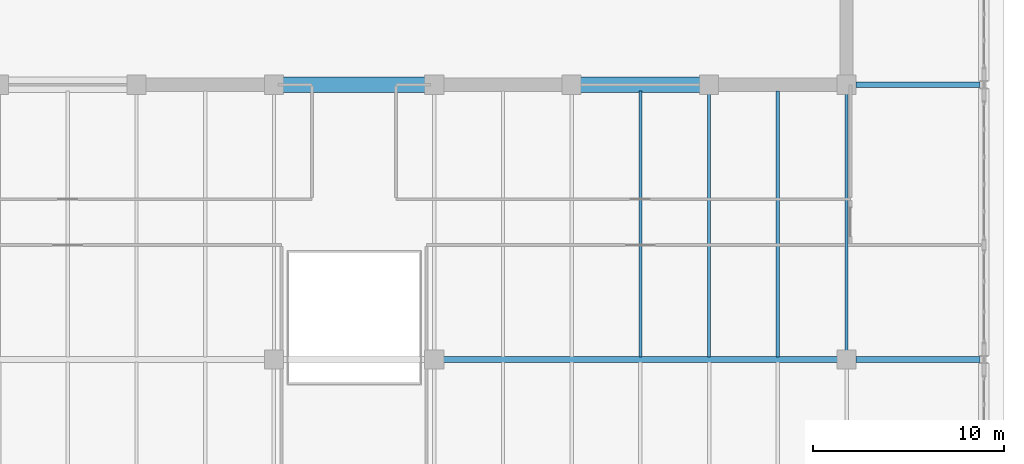
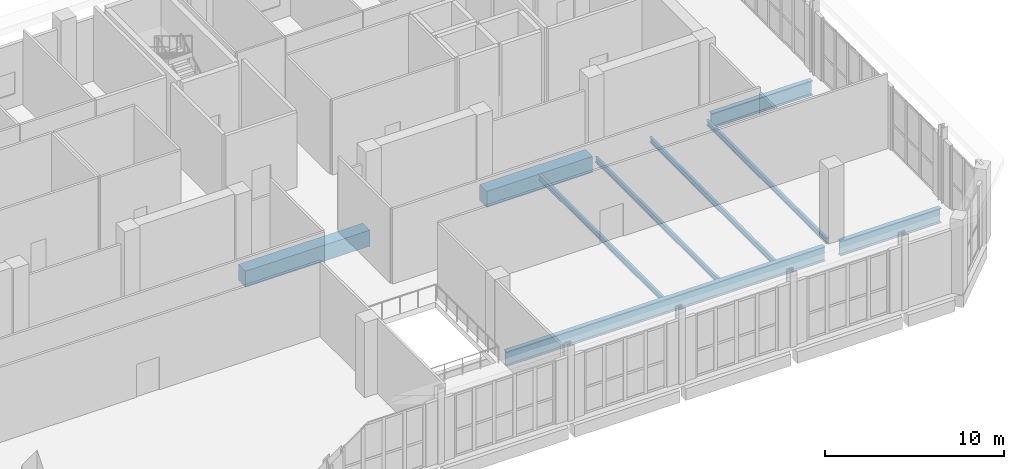
# One storey, part 11 of 26: 9 beams.
"""IFC4 building model written with IfcOpenShell, lengths in metres."""

from ifc_helpers import new_model, si_unit, direction, frame, origin, origin_2d, place, context, subcontext, project, spatial, rectangle, i_section, extrude, material, material_profile, profile_set, type_object, element, save


model = new_model("IFC4")

# Units and contexts
model_context = context("Model", 3, precision=1e-05, world=origin(), true_north=direction((0.0, 1.0)))
body_context = subcontext(model_context, "Body", "Model", "MODEL_VIEW")
ifc_project = project(units=[si_unit("LENGTHUNIT", "METRE"), si_unit("AREAUNIT", "SQUARE_METRE"), si_unit("VOLUMEUNIT", "CUBIC_METRE"), si_unit("PLANEANGLEUNIT", "RADIAN"), si_unit("MASSUNIT", "GRAM", prefix="KILO")], contexts=[model_context])

# Site, building, storey
site_placement = place(None, origin())
site = spatial("IfcSite", under=ifc_project, at=site_placement, CompositionType="ELEMENT")
building_placement = place(site_placement, origin())
building = spatial("IfcBuilding", under=site, at=building_placement, Name="Kaelvorn Grand Hotel", CompositionType="ELEMENT")
storey_placement = place(building_placement, frame((0.0, 0.0, 300.199951171875)))
storey = spatial("IfcBuildingStorey", under=building, at=storey_placement, Name="L73", CompositionType="ELEMENT", Elevation=300.199951171875)

# Beams
ifc_material_1 = material(Name="Steel S460", Category="steel")
ifc_material_profile_1 = material_profile(ifc_material_1, i_section(OverallWidth=0.302001953125, OverallDepth=1.008056640625, WebThickness=0.02099609375, FlangeThickness=0.0400390625, FilletRadius=0.024169921875, at=origin_2d()), Name="UB 1016x305x349")
ifc_profile_set_1 = profile_set([ifc_material_profile_1], Name="Steel S460")
beam_type_1 = type_object("IfcBeamType", Name="BM-G-UB1016-S460", PredefinedType="BEAM", material=ifc_profile_set_1)
beam_1_placement = place(storey_placement, frame((46.68505859375, 15.0, -0.884033203125), z_axis=(1.0, 0.0, 0.0), x_axis=(0.0, 1.0, 0.0)))
element("IfcBeam", 1, at=beam_1_placement, inside=storey, type_object=beam_type_1, Name="L73 Primary Spine Steel Girder G-15 04", PredefinedType="BEAM", context=body_context, shape_type="SweptSolid", body=[
    extrude(i_section(OverallWidth=0.302001953125, OverallDepth=1.008056640625, WebThickness=0.02099609375, FlangeThickness=0.0400390625, FilletRadius=0.024169921875, at=origin_2d()), origin(), (0.0, 0.0, 1.0), 20.6298828125),
])
for number, where, z_axis, x_axis, name in (
    (2, (68.284912109375, 15.0, -0.884033203125), (1.0, 0.0, 0.0), (0.0, 1.0, 0.0), "L73 Primary Spine Steel Girder G-15 05"),
    (3, (68.284912109375, 29.39990234375, -0.884033203125), (1.0, 0.0, 0.0), (0.0, 1.0, 0.0), "L73 East Core Wing Steel Girder G-29E 01"),
):
    element("IfcBeam", number, at=place(storey_placement, frame(where, z_axis=z_axis, x_axis=x_axis)), inside=storey, type_object=beam_type_1, Name=name, PredefinedType="BEAM", context=body_context, shape_type="SweptSolid", body=[
        extrude(i_section(OverallWidth=0.302001953125, OverallDepth=1.008056640625, WebThickness=0.02099609375, FlangeThickness=0.0400390625, FilletRadius=0.024169921875, at=origin_2d()), origin(), (0.0, 0.0, 1.0), 6.52001953125),
    ])
ifc_material_2 = material(Name="Steel S355", Category="steel")
ifc_material_profile_2 = material_profile(ifc_material_2, i_section(OverallWidth=0.169921875, OverallDepth=0.360107421875, WebThickness=0.008056640625, FlangeThickness=0.0126953125, FilletRadius=0.01806640625, at=origin_2d()), Name="IPE 360")
ifc_profile_set_2 = profile_set([ifc_material_profile_2], Name="Steel S355")
beam_type_2 = type_object("IfcBeamType", Name="BM-J-IPE360-S355", PredefinedType="JOIST", material=ifc_profile_set_2)
beam_2_placement = place(storey_placement, frame((57.0, 15.135986328125, -0.56005859375), z_axis=(0.0, 1.0, 0.0), x_axis=(-1.0, 0.0, 0.0)))
element("IfcBeam", 4, at=beam_2_placement, inside=storey, type_object=beam_type_2, Name="L73 Composite Floor Joist JM-16", PredefinedType="JOIST", context=body_context, shape_type="SweptSolid", body=[
    extrude(i_section(OverallWidth=0.169921875, OverallDepth=0.360107421875, WebThickness=0.008056640625, FlangeThickness=0.0126953125, FilletRadius=0.01806640625, at=origin_2d()), origin(), (0.0, 0.0, 1.0), 13.924072265625),
])
beam_3_placement = place(storey_placement, frame((60.60009765625, 15.135986328125, -0.56005859375), z_axis=(0.0, 1.0, 0.0), x_axis=(-1.0, 0.0, 0.0)))
element("IfcBeam", 5, at=beam_3_placement, inside=storey, type_object=beam_type_2, Name="L73 Composite Floor Joist JM-17", PredefinedType="JOIST", context=body_context, shape_type="SweptSolid", body=[
    extrude(i_section(OverallWidth=0.169921875, OverallDepth=0.360107421875, WebThickness=0.008056640625, FlangeThickness=0.0126953125, FilletRadius=0.01806640625, at=origin_2d()), origin(), (0.0, 0.0, 1.0), 13.779052734375),
])
beam_4_placement = place(storey_placement, frame((64.199951171875, 15.135986328125, -0.56005859375), z_axis=(0.0, 1.0, 0.0), x_axis=(-1.0, 0.0, 0.0)))
element("IfcBeam", 6, at=beam_4_placement, inside=storey, type_object=beam_type_2, Name="L73 Composite Floor Joist JM-18", PredefinedType="JOIST", context=body_context, shape_type="SweptSolid", body=[
    extrude(i_section(OverallWidth=0.169921875, OverallDepth=0.360107421875, WebThickness=0.008056640625, FlangeThickness=0.0126953125, FilletRadius=0.01806640625, at=origin_2d()), origin(), (0.0, 0.0, 1.0), 13.924072265625),
])
beam_5_placement = place(storey_placement, frame((67.800048828125, 15.485107421875, -0.56005859375), z_axis=(0.0, 1.0, 0.0), x_axis=(-1.0, 0.0, 0.0)))
element("IfcBeam", 7, at=beam_5_placement, inside=storey, type_object=beam_type_2, Name="L73 Composite Floor Joist JM-19", PredefinedType="JOIST", context=body_context, shape_type="SweptSolid", body=[
    extrude(i_section(OverallWidth=0.169921875, OverallDepth=0.360107421875, WebThickness=0.008056640625, FlangeThickness=0.0126953125, FilletRadius=0.01806640625, at=origin_2d()), origin(), (0.0, 0.0, 1.0), 13.429931640625),
])
ifc_material_3 = material(Name="Concrete C60/75", Category="concrete")
ifc_material_profile_3 = material_profile(ifc_material_3, rectangle(XDim=0.800048828125, YDim=1.10009765625, at=origin_2d()), Name="RC LINTEL 800x1100")
ifc_profile_set_3 = profile_set([ifc_material_profile_3], Name="Concrete C60/75")
beam_type_3 = type_object("IfcBeamType", Name="BM-LIN-800x1100-C60", PredefinedType="LINTEL", material=ifc_profile_set_3)
beam_6_placement = place(storey_placement, frame((37.97998046875, 29.39990234375, -0.929931640625), z_axis=(1.0, 0.0, 0.0), x_axis=(0.0, 1.0, 0.0)))
element("IfcBeam", 8, at=beam_6_placement, inside=storey, type_object=beam_type_3, Name="L73 Rear-Core Coupling Lintel Beam CB1-02", PredefinedType="LINTEL", context=body_context, shape_type="SweptSolid", body=[
    extrude(rectangle(XDim=0.800048828125, YDim=1.10009765625, at=origin_2d()), origin(), (0.0, 0.0, 1.0), 8.0400390625),
])
beam_7_placement = place(storey_placement, frame((53.580078125, 29.39990234375, -0.929931640625), z_axis=(1.0, 0.0, 0.0), x_axis=(0.0, 1.0, 0.0)))
element("IfcBeam", 9, at=beam_7_placement, inside=storey, type_object=beam_type_3, Name="L73 Rear-Core Coupling Lintel Beam CB1-03", PredefinedType="LINTEL", context=body_context, shape_type="SweptSolid", body=[
    extrude(rectangle(XDim=0.800048828125, YDim=1.10009765625, at=origin_2d()), origin(), (0.0, 0.0, 1.0), 6.83984375),
])

save(model, "model.ifc")
